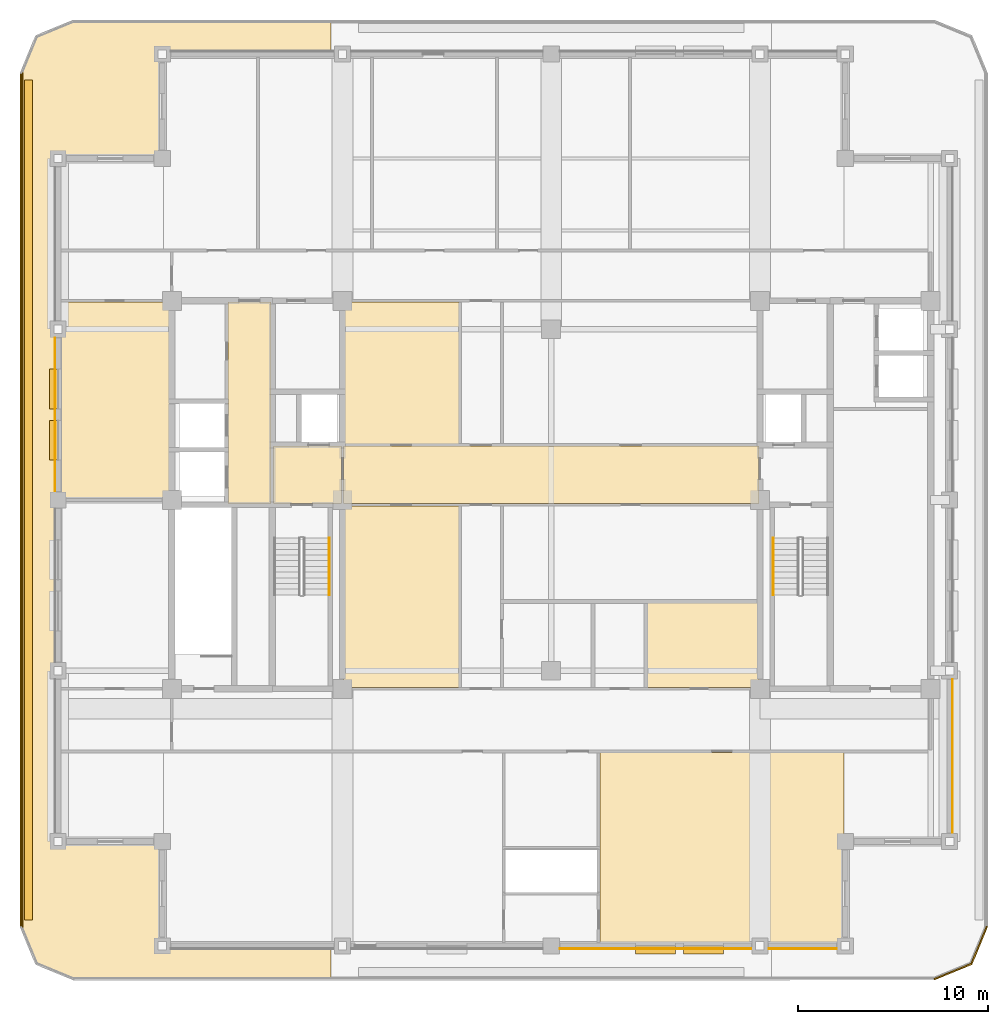
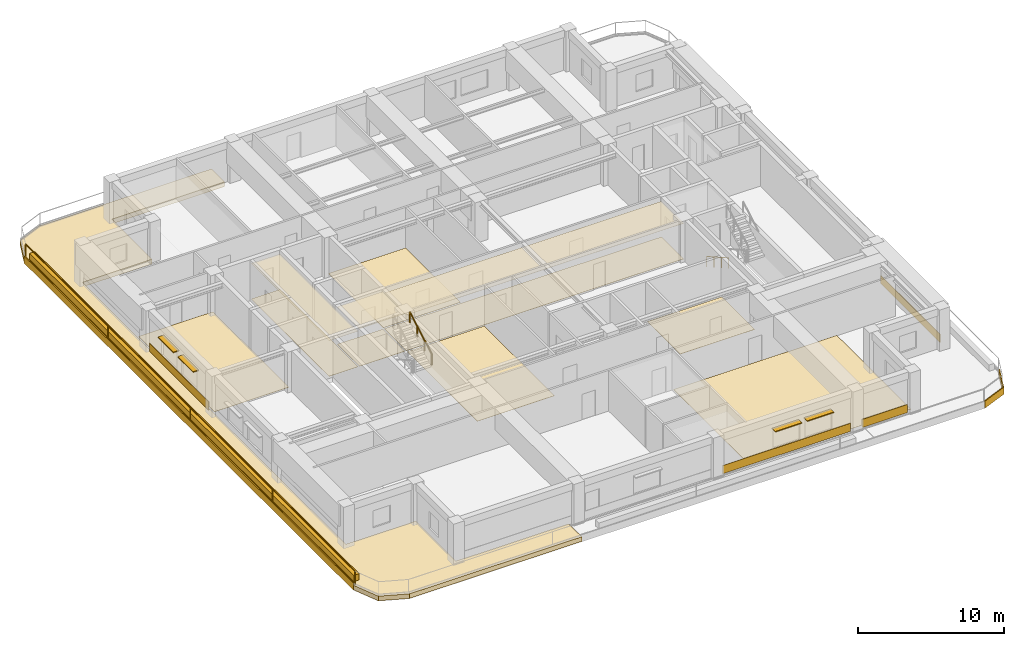
# One storey, part 9 of 11: 20 coverings, 4 shading devices, 3 railings.
"""IFC4 building model written with IfcOpenShell, lengths in metres."""

from ifc_helpers import new_model, si_unit, direction, frame, frame_2d, origin, origin_2d, place, context, subcontext, project, spatial, polyline, rectangle, outline, extrude, material, layer, layer_set, type_object, element, save


model = new_model("IFC4")

# Units and contexts
model_context = context("Model", 3, precision=1e-05, world=origin(), true_north=direction((0.0, 1.0)))
body_context = subcontext(model_context, "Body", "Model", "MODEL_VIEW")
ifc_project = project(units=[si_unit("LENGTHUNIT", "METRE"), si_unit("AREAUNIT", "SQUARE_METRE"), si_unit("VOLUMEUNIT", "CUBIC_METRE"), si_unit("PLANEANGLEUNIT", "RADIAN"), si_unit("MASSUNIT", "GRAM", prefix="KILO")], contexts=[model_context])

# Site, building, storey
site_placement = place(None, origin())
site = spatial("IfcSite", under=ifc_project, at=site_placement, CompositionType="ELEMENT")
building_placement = place(site_placement, origin())
building = spatial("IfcBuilding", under=site, at=building_placement, Name="Zulmaris Gate Convention Tower", CompositionType="ELEMENT")
storey_placement = place(building_placement, frame((0.0, 0.0, 278.06005859375)))
storey = spatial("IfcBuildingStorey", under=building, at=storey_placement, Name="L74", CompositionType="ELEMENT", Elevation=278.06005859375)

# Coverings
ifc_material_1 = material(Name="Precast concrete C40/50", Category="concrete")
ifc_layer_1 = layer(ifc_material_1, 0.0400390625, Name="Precast concrete C40/50")
ifc_layer_set_1 = layer_set([ifc_layer_1], Name="Precast concrete C40/50")
covering_type_1 = type_object("IfcCoveringType", Name="CLAD-SPANDREL-PRECAST", PredefinedType="CLADDING", material=ifc_layer_set_1)
covering_1_placement = place(storey_placement, frame((0.455078125, -23.64990234375, 0.0), z_axis=(0.0, 0.0, 1.0), x_axis=(1.0, 0.0, 0.0)))
element("IfcCovering", 1, at=covering_1_placement, inside=storey, type_object=covering_type_1, Name="CLD-L74-S-2_0", PredefinedType="CLADDING", context=body_context, shape_type="SweptSolid", body=[
    extrude(rectangle(XDim=10.08984375, YDim=0.0400390625, at=frame_2d((5.044921875, 0.0))), origin(), (0.0, 0.0, 1.0), 0.679931640625),
])
covering_2_placement = place(storey_placement, frame((11.455078125, -23.64990234375, 0.0), z_axis=(0.0, 0.0, 1.0), x_axis=(1.0, 0.0, 0.0)))
element("IfcCovering", 2, at=covering_2_placement, inside=storey, type_object=covering_type_1, Name="CLD-L74-S-3_0", PredefinedType="CLADDING", context=body_context, shape_type="SweptSolid", body=[
    extrude(rectangle(XDim=3.58984375, YDim=0.0400390625, at=frame_2d((1.794921875, 0.0))), origin(), (0.0, 0.0, 1.0), 0.679931640625),
])
for number, where, z_axis, x_axis, name in (
    (3, (21.14990234375, -17.544921875, 0.0), (0.0, 0.0, 1.0), (0.0, 1.0, 0.0), "CLD-L74-E-0_0"),
    (4, (-26.14990234375, 8.544921875, 0.0), (0.0, 0.0, 1.0), (0.0, -1.0, 0.0), "CLD-L74-W-2_0"),
):
    element("IfcCovering", number, at=place(storey_placement, frame(where, z_axis=z_axis, x_axis=x_axis)), inside=storey, type_object=covering_type_1, Name=name, PredefinedType="CLADDING", context=body_context, shape_type="SweptSolid", body=[
        extrude(rectangle(XDim=8.08984375, YDim=0.0400390625, at=frame_2d((4.044921875, 0.0))), origin(), (0.0, 0.0, 1.0), 0.679931640625),
    ])
ifc_material_2 = material(Name="White Glazed Architectural Precast Concrete C40/50", Category="concrete")
ifc_layer_2 = layer(ifc_material_2, 0.239990234375, Name="White Glazed Architectural Precast Concrete C40/50")
ifc_layer_set_2 = layer_set([ifc_layer_2], Name="White Glazed Architectural Precast Concrete C40/50")
covering_type_2 = type_object("IfcCoveringType", Name="CLAD-TRAY-DECK", PredefinedType="CLADDING", material=ifc_layer_set_2)
covering_3_placement = place(storey_placement, frame((0.0, 0.0, -0.425048828125)))
element("IfcCovering", 5, at=covering_3_placement, inside=storey, type_object=covering_type_2, Name="L74 West Rounded-Fascia Planter Tray Deck", PredefinedType="CLADDING", context=body_context, shape_type="SweptSolid", body=[
    extrude(outline(polyline([(-28.0, 22.5), (-27.179931640625, 24.47998046875), (-25.199951171875, 25.300048828125), (-11.60205078125, 25.300048828125), (-11.60205078125, 23.5), (-20.5, 23.5), (-20.5, 18.0), (-26.0, 18.0), (-26.0, -18.0), (-20.5, -18.0), (-20.5, -23.5), (-11.60205078125, -23.5), (-11.60205078125, -25.300048828125), (-25.199951171875, -25.300048828125), (-27.179931640625, -24.47998046875), (-28.0, -22.5), (-28.0, 22.5)])), origin(), (0.0, 0.0, 1.0), 0.385009765625),
])
ifc_layer_3 = layer(ifc_material_2, 0.080078125, Name="White Glazed Architectural Precast Concrete C40/50")
ifc_layer_set_3 = layer_set([ifc_layer_3], Name="White Glazed Architectural Precast Concrete C40/50")
covering_type_3 = type_object("IfcCoveringType", Name="CLAD-TRAY-FASCIA", PredefinedType="CLADDING", material=ifc_layer_set_3)
covering_4_placement = place(storey_placement, frame((20.184814453125, -25.262939453125, -0.46484375), z_axis=(0.0, 0.0, 1.0), x_axis=(0.923873803533, 0.382697263049, 0.0)))
element("IfcCovering", 6, at=covering_4_placement, inside=storey, type_object=covering_type_3, Name="FSC-L74-TR-03", PredefinedType="CLADDING", context=body_context, shape_type="SweptSolid", body=[
    extrude(rectangle(XDim=2.142822265625, YDim=0.080078125, at=frame_2d((1.0712890625, 0.0))), origin(), (0.0, 0.0, 1.0), 0.5849609375),
])
covering_5_placement = place(storey_placement, frame((22.142822265625, -24.464599609375, -0.46484375), z_axis=(0.0, 0.0, 1.0), x_axis=(0.382656984709, 0.923890487046, 0.0)))
element("IfcCovering", 7, at=covering_5_placement, inside=storey, type_object=covering_type_3, Name="FSC-L74-TR-04", PredefinedType="CLADDING", context=body_context, shape_type="SweptSolid", body=[
    extrude(rectangle(XDim=2.14306640625, YDim=0.080078125, at=frame_2d((1.071533203125, 0.0))), origin(), (0.0, 0.0, 1.0), 0.5849609375),
])
covering_6_placement = place(storey_placement, frame((-27.9599609375, 22.5, -0.46484375), z_axis=(0.0, 0.0, 1.0), x_axis=(0.0, -1.0, 0.0)))
element("IfcCovering", 8, at=covering_6_placement, inside=storey, type_object=covering_type_3, Name="FSC-L74-TR-11", PredefinedType="CLADDING", context=body_context, shape_type="SweptSolid", body=[
    extrude(rectangle(XDim=45.0, YDim=0.080078125, at=frame_2d((22.5, 0.0))), origin(), (0.0, 0.0, 1.0), 0.5849609375),
])
ifc_material_3 = material(Name="Mineral Fibre Acoustic Ceiling Tile")
ifc_layer_4 = layer(ifc_material_3, 0.02001953125, Name="Mineral Fibre Acoustic Ceiling Tile")
ifc_layer_set_4 = layer_set([ifc_layer_4], Name="Mineral Fibre Acoustic Ceiling Tile")
covering_type_4 = type_object("IfcCoveringType", Name="CLG-ACOUSTIC-600", PredefinedType="CEILING", material=ifc_layer_set_4)
covering_7_placement = place(storey_placement, frame((0.0, 0.0, 3.135009765625)))
element("IfcCovering", 9, at=covering_7_placement, inside=storey, type_object=covering_type_4, Name="CLG-L74-R03", PredefinedType="CEILING", context=body_context, shape_type="SweptSolid", body=[
    extrude(outline(polyline([(-14.639892578125, -0.18994140625), (-11.06005859375, -0.18994140625), (-11.06005859375, 2.840087890625), (-14.639892578125, 2.840087890625), (-14.639892578125, -0.18994140625)])), origin(), (0.0, 0.0, 1.0), 0.02001953125),
])
covering_8_placement = place(storey_placement, frame((0.0, 0.0, 2.972900390625)))
element("IfcCovering", 10, at=covering_8_placement, inside=storey, type_object=covering_type_4, Name="CLG-L74-R17", PredefinedType="CEILING", context=body_context, shape_type="SweptSolid", body=[
    extrude(outline(polyline([(-17.0400390625, -0.18994140625), (-14.760009765625, -0.18994140625), (-14.760009765625, 10.43994140625), (-17.0400390625, 10.43994140625), (-17.0400390625, -0.18994140625)])), origin(), (0.0, 0.0, 1.0), 0.02001953125),
])
covering_9_placement = place(storey_placement, frame((0.0, 0.0, 2.972900390625)))
element("IfcCovering", 11, at=covering_9_placement, inside=storey, type_object=covering_type_4, Name="CLG-L74-R27", PredefinedType="CEILING", context=body_context, shape_type="SweptSolid", body=[
    extrude(outline(polyline([(-10.93994140625, -0.18994140625), (10.93994140625, -0.18994140625), (10.93994140625, 2.840087890625), (-10.93994140625, 2.840087890625), (-10.93994140625, -0.18994140625)])), origin(), (0.0, 0.0, 1.0), 0.02001953125),
])
ifc_material_4 = material(Name="Woven Acoustic Wool Carpet Tile")
ifc_layer_5 = layer(ifc_material_4, 0.02001953125, Name="Woven Acoustic Wool Carpet Tile")
ifc_layer_set_5 = layer_set([ifc_layer_5], Name="Woven Acoustic Wool Carpet Tile")
covering_type_5 = type_object("IfcCoveringType", Name="FLR-CARPET-12", PredefinedType="FLOORING", material=ifc_layer_set_5)
covering_10_placement = place(storey_placement, origin())
element("IfcCovering", 12, at=covering_10_placement, inside=storey, type_object=covering_type_5, Name="FLR-L74-R03", PredefinedType="FLOORING", context=body_context, shape_type="SweptSolid", body=[
    extrude(outline(polyline([(-14.639892578125, -0.18994140625), (-11.06005859375, -0.18994140625), (-11.06005859375, 2.840087890625), (-14.639892578125, 2.840087890625), (-14.639892578125, -0.18994140625)])), origin(), (0.0, 0.0, 1.0), 0.02001953125),
])
covering_11_placement = place(storey_placement, origin())
element("IfcCovering", 13, at=covering_11_placement, inside=storey, type_object=covering_type_5, Name="FLR-L74-R17", PredefinedType="FLOORING", context=body_context, shape_type="SweptSolid", body=[
    extrude(outline(polyline([(-17.0400390625, -0.18994140625), (-14.760009765625, -0.18994140625), (-14.760009765625, 10.43994140625), (-17.0400390625, 10.43994140625), (-17.0400390625, -0.18994140625)])), origin(), (0.0, 0.0, 1.0), 0.02001953125),
])
covering_12_placement = place(storey_placement, origin())
element("IfcCovering", 14, at=covering_12_placement, inside=storey, type_object=covering_type_5, Name="FLR-L74-R27", PredefinedType="FLOORING", context=body_context, shape_type="SweptSolid", body=[
    extrude(outline(polyline([(-10.93994140625, -0.18994140625), (10.93994140625, -0.18994140625), (10.93994140625, 2.840087890625), (-10.93994140625, 2.840087890625), (-10.93994140625, -0.18994140625)])), origin(), (0.0, 0.0, 1.0), 0.02001953125),
])
covering_13_placement = place(storey_placement, origin())
element("IfcCovering", 15, at=covering_13_placement, inside=storey, type_object=covering_type_5, Name="FLR-L74-R38", PredefinedType="FLOORING", context=body_context, shape_type="SweptSolid", body=[
    extrude(outline(polyline([(2.56005859375, -23.43994140625), (15.43994140625, -23.43994140625), (15.43994140625, -13.31005859375), (2.56005859375, -13.31005859375), (2.56005859375, -23.43994140625)])), origin(), (0.0, 0.0, 1.0), 0.02001953125),
])
covering_14_placement = place(storey_placement, origin())
element("IfcCovering", 16, at=covering_14_placement, inside=storey, type_object=covering_type_5, Name="FLR-L74-R41", PredefinedType="FLOORING", context=body_context, shape_type="SweptSolid", body=[
    extrude(outline(polyline([(-10.93994140625, -9.889892578125), (-4.860107421875, -9.889892578125), (-4.860107421875, -0.31005859375), (-10.93994140625, -0.31005859375), (-10.93994140625, -9.889892578125)])), origin(), (0.0, 0.0, 1.0), 0.02001953125),
])
covering_15_placement = place(storey_placement, origin())
element("IfcCovering", 17, at=covering_15_placement, inside=storey, type_object=covering_type_5, Name="FLR-L74-R45", PredefinedType="FLOORING", context=body_context, shape_type="SweptSolid", body=[
    extrude(outline(polyline([(5.06005859375, -9.889892578125), (10.93994140625, -9.889892578125), (10.93994140625, -5.409912109375), (5.06005859375, -5.409912109375), (5.06005859375, -9.889892578125)])), origin(), (0.0, 0.0, 1.0), 0.02001953125),
])
covering_16_placement = place(storey_placement, origin())
element("IfcCovering", 18, at=covering_16_placement, inside=storey, type_object=covering_type_5, Name="FLR-L74-R48", PredefinedType="FLOORING", context=body_context, shape_type="SweptSolid", body=[
    extrude(outline(polyline([(-25.93994140625, 0.06005859375), (-20.06005859375, 0.06005859375), (-20.06005859375, 10.43994140625), (-25.93994140625, 10.43994140625), (-25.93994140625, 0.06005859375)])), origin(), (0.0, 0.0, 1.0), 0.02001953125),
])
ifc_material_5 = material(Name="Polished Granite Terrazzo Tile", Category="masonry")
ifc_layer_6 = layer(ifc_material_5, 0.02001953125, Name="Polished Granite Terrazzo Tile")
ifc_layer_set_6 = layer_set([ifc_layer_6], Name="Polished Granite Terrazzo Tile")
covering_type_6 = type_object("IfcCoveringType", Name="FLR-TERRAZZO-30", PredefinedType="FLOORING", material=ifc_layer_set_6)
covering_17_placement = place(storey_placement, origin())
element("IfcCovering", 19, at=covering_17_placement, inside=storey, type_object=covering_type_6, Name="FLR-L74-R39", PredefinedType="FLOORING", context=body_context, shape_type="SweptSolid", body=[
    extrude(outline(polyline([(-10.93994140625, 2.9599609375), (-4.860107421875, 2.9599609375), (-4.860107421875, 10.43994140625), (-10.93994140625, 10.43994140625), (-10.93994140625, 2.9599609375)])), origin(), (0.0, 0.0, 1.0), 0.02001953125),
])
ifc_material_6 = material(Name="Botanical Green Glazed Precast Concrete C40/50", Category="concrete")
ifc_layer_7 = layer(ifc_material_6, 0.419921875, Name="Botanical Green Glazed Precast Concrete C40/50")
ifc_layer_set_7 = layer_set([ifc_layer_7], Name="Botanical Green Glazed Precast Concrete C40/50")
covering_type_7 = type_object("IfcCoveringType", Name="PLANTER-BOX-200", PredefinedType="CLADDING", material=ifc_layer_set_7)
covering_18_placement = place(storey_placement, frame((0.0, 0.0, -0.0400390625)))
element("IfcCovering", 20, at=covering_18_placement, inside=storey, type_object=covering_type_7, Name="L74 W Full-Length Balcony Tree Planter Trough", PredefinedType="CLADDING", context=body_context, shape_type="SweptSolid", body=[
    extrude(outline(polyline([(-27.760009765625, -22.14990234375), (-27.340087890625, -22.14990234375), (-27.340087890625, 22.14990234375), (-27.760009765625, 22.14990234375), (-27.760009765625, -22.14990234375)])), origin(), (0.0, 0.0, 1.0), 0.52001953125),
])

# Railings
ifc_material_7 = material(Name="Laminated Glass and Stainless Steel", Category="steel")
railing_type_1 = type_object("IfcRailingType", Name="RL-BALC-1150", PredefinedType="BALUSTRADE", material=ifc_material_7)
railing_1_placement = place(storey_placement, frame((-27.8798828125, 22.5, -0.0400390625)))
element("IfcRailing", 21, at=railing_1_placement, inside=storey, type_object=railing_type_1, Name="RL-L74-BALC-W", PredefinedType="BALUSTRADE", context=body_context, shape_type="SweptSolid", body=[
    extrude(rectangle(XDim=0.048095703125, YDim=0.048095703125, at=origin_2d()), frame((0.0, 0.0, 1.1259765625), z_axis=(0.0, -1.0, 0.0), x_axis=(1.0, 0.0, 0.0)), (0.0, 0.0, 1.0), 45.0),
    extrude(rectangle(XDim=0.048095703125, YDim=0.048095703125, at=origin_2d()), frame((0.0, 0.0, 0.02392578125), z_axis=(0.0, -1.0, 0.0), x_axis=(1.0, 0.0, 0.0)), (0.0, 0.0, 1.0), 45.0),
    extrude(rectangle(XDim=0.0419921875, YDim=0.0419921875, at=origin_2d()), origin(), (0.0, 0.0, 1.0), 1.101806640625),
    extrude(rectangle(XDim=0.0419921875, YDim=0.0419921875, at=origin_2d()), frame((0.0, -11.25, 0.0)), (0.0, 0.0, 1.0), 1.101806640625),
    extrude(rectangle(XDim=0.0419921875, YDim=0.0419921875, at=origin_2d()), frame((0.0, -22.5, 0.0)), (0.0, 0.0, 1.0), 1.101806640625),
    extrude(rectangle(XDim=0.0419921875, YDim=0.0419921875, at=origin_2d()), frame((0.0, -33.75, 0.0)), (0.0, 0.0, 1.0), 1.101806640625),
    extrude(rectangle(XDim=0.0419921875, YDim=0.0419921875, at=origin_2d()), frame((0.0, -45.0, 0.0)), (0.0, 0.0, 1.0), 1.101806640625),
])
ifc_material_8 = material(Name="Brushed Stainless Steel", Category="steel")
railing_type_2 = type_object("IfcRailingType", Name="RL-STH-900", PredefinedType="HANDRAIL", material=ifc_material_8)
railing_2_placement = place(storey_placement, frame((-11.7099609375, -5.0, 2.0400390625)))
element("IfcRailing", 22, at=railing_2_placement, inside=storey, type_object=railing_type_2, Name="L74 ST-1 stair handrail 2", PredefinedType="HANDRAIL", context=body_context, shape_type="SweptSolid", body=[
    extrude(rectangle(XDim=0.048095703125, YDim=0.048095703125, at=origin_2d()), frame((0.0, 0.0, 0.8759765625), z_axis=(0.0, 0.870028259722, 0.493001853226), x_axis=(-1.0, 0.0, 0.0)), (0.0, 0.0, 1.0), 3.4482421875),
    extrude(rectangle(XDim=0.0419921875, YDim=0.0419921875, at=origin_2d()), origin(), (0.0, 0.0, 1.0), 0.851806640625),
    extrude(rectangle(XDim=0.0419921875, YDim=0.0419921875, at=origin_2d()), frame((0.0, 1.0, 0.566650390625)), (0.0, 0.0, 1.0), 0.851806640625),
    extrude(rectangle(XDim=0.0419921875, YDim=0.0419921875, at=origin_2d()), frame((0.0, 2.0, 1.13330078125)), (0.0, 0.0, 1.0), 0.851806640625),
    extrude(rectangle(XDim=0.0419921875, YDim=0.0419921875, at=origin_2d()), frame((0.0, 3.0, 1.699951171875)), (0.0, 0.0, 1.0), 0.851806640625),
])
railing_3_placement = place(storey_placement, frame((11.7099609375, -2.0, 0.169921875)))
element("IfcRailing", 23, at=railing_3_placement, inside=storey, type_object=railing_type_2, Name="L74 ST-2 stair handrail 1", PredefinedType="HANDRAIL", context=body_context, shape_type="SweptSolid", body=[
    extrude(rectangle(XDim=0.048095703125, YDim=0.048095703125, at=origin_2d()), frame((0.0, 0.0, 0.8759765625), z_axis=(0.0, -0.870028259722, 0.493001853226), x_axis=(1.0, 0.0, 0.0)), (0.0, 0.0, 1.0), 3.4482421875),
    extrude(rectangle(XDim=0.0419921875, YDim=0.0419921875, at=origin_2d()), origin(), (0.0, 0.0, 1.0), 0.851806640625),
    extrude(rectangle(XDim=0.0419921875, YDim=0.0419921875, at=origin_2d()), frame((0.0, -1.0, 0.566650390625)), (0.0, 0.0, 1.0), 0.851806640625),
    extrude(rectangle(XDim=0.0419921875, YDim=0.0419921875, at=origin_2d()), frame((0.0, -2.0, 1.13330078125)), (0.0, 0.0, 1.0), 0.851806640625),
    extrude(rectangle(XDim=0.0419921875, YDim=0.0419921875, at=origin_2d()), frame((0.0, -3.0, 1.699951171875)), (0.0, 0.0, 1.0), 0.851806640625),
])

# Shading devices
ifc_material_9 = material(Name="Glazed Ceramic Terracotta", Category="masonry")
ifc_layer_8 = layer(ifc_material_9, 0.070068359375, Name="Glazed Ceramic Terracotta")
ifc_layer_set_8 = layer_set([ifc_layer_8], Name="Glazed Ceramic Terracotta")
shading_device_type = type_object("IfcShadingDeviceType", Name="SHD-SUNSHADE-TC", PredefinedType="AWNING", material=ifc_layer_set_8)
for number, where, z_axis, x_axis, name in (
    (24, (4.449951171875, -23.719970703125, 2.22998046875), (0.0, 0.0, 1.0), (1.0, 0.0, 0.0), "SHD-EW-L74-S-2_0-2"),
    (25, (6.972900390625, -23.719970703125, 2.22998046875), (0.0, 0.0, 1.0), (1.0, 0.0, 0.0), "SHD-EW-L74-S-2_0-3"),
):
    element("IfcShadingDevice", number, at=place(storey_placement, frame(where, z_axis=z_axis, x_axis=x_axis)), inside=storey, type_object=shading_device_type, Name=name, PredefinedType="AWNING", context=body_context, shape_type="SweptSolid", body=[
        extrude(rectangle(XDim=2.10009765625, YDim=0.43994140625, at=frame_2d((1.050048828125, 0.0))), origin(), (0.0, 0.0, 1.0), 0.070068359375),
    ])
for number, where, z_axis, x_axis, name in (
    (26, (-26.219970703125, 6.89794921875, 2.22998046875), (0.0, 0.0, 1.0), (0.0, -1.0, 0.0), "SHD-EW-L74-W-2_0-1"),
    (27, (-26.219970703125, 4.201904296875, 2.22998046875), (0.0, 0.0, 1.0), (0.0, -1.0, 0.0), "SHD-EW-L74-W-2_0-2"),
):
    element("IfcShadingDevice", number, at=place(storey_placement, frame(where, z_axis=z_axis, x_axis=x_axis)), inside=storey, type_object=shading_device_type, Name=name, PredefinedType="AWNING", context=body_context, shape_type="SweptSolid", body=[
        extrude(rectangle(XDim=2.099853515625, YDim=0.43994140625, at=frame_2d((1.0498046875, 0.0))), origin(), (0.0, 0.0, 1.0), 0.070068359375),
    ])

save(model, "model.ifc")
